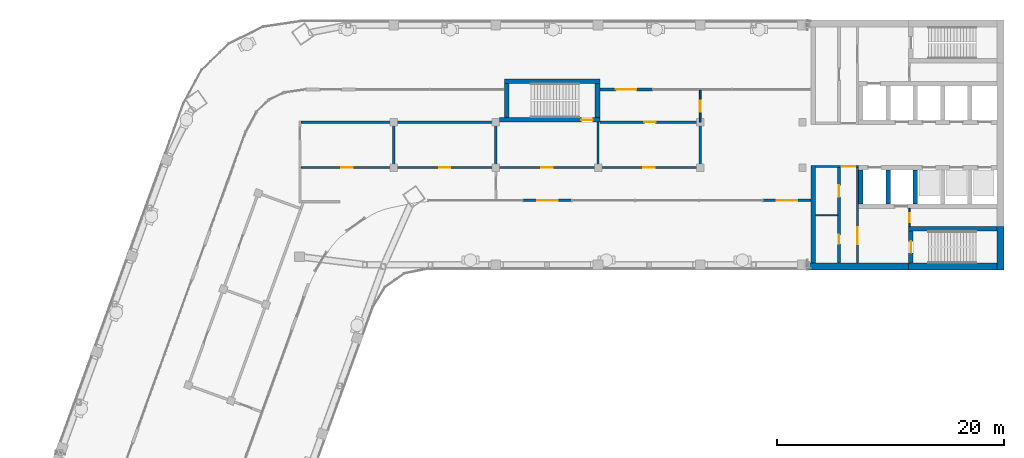
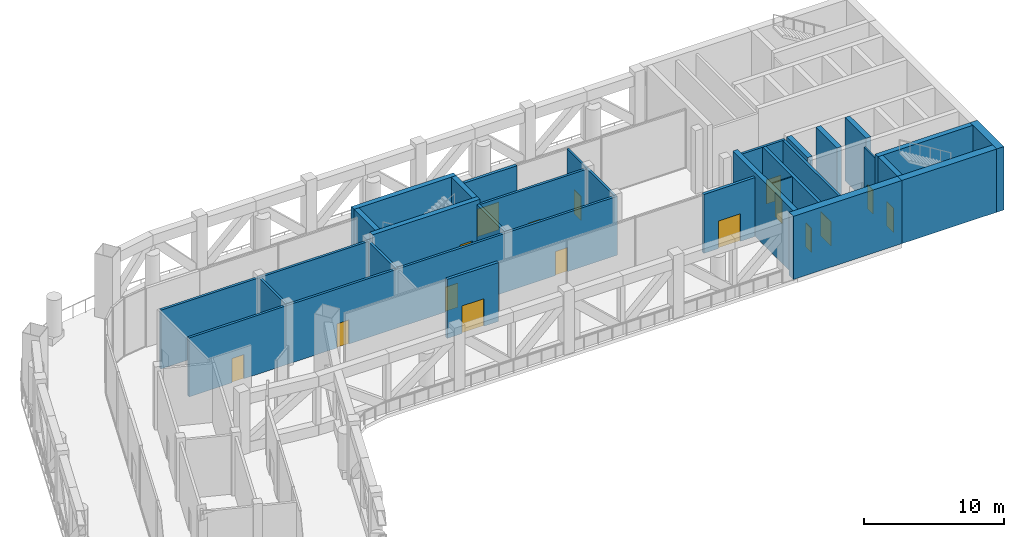
# One storey, part 13 of 19: 29 walls, 16 doors, 16 openings.
"""IFC4 building model written with IfcOpenShell, lengths in metres."""

from ifc_helpers import new_model, si_unit, direction, frame, frame_2d, origin, place, context, subcontext, project, spatial, rectangle, extrude, material, layer, layer_set, type_object, element, fill, save


model = new_model("IFC4")

# Units and contexts
model_context = context("Model", 3, precision=1e-05, world=origin(), true_north=direction((0.0, 1.0)))
body_context = subcontext(model_context, "Body", "Model", "MODEL_VIEW")
ifc_project = project(units=[si_unit("LENGTHUNIT", "METRE"), si_unit("AREAUNIT", "SQUARE_METRE"), si_unit("VOLUMEUNIT", "CUBIC_METRE"), si_unit("PLANEANGLEUNIT", "RADIAN"), si_unit("MASSUNIT", "GRAM", prefix="KILO")], contexts=[model_context])

# Site, building, storey
site_placement = place(None, origin())
site = spatial("IfcSite", under=ifc_project, at=site_placement, CompositionType="ELEMENT")
building_placement = place(site_placement, origin())
building = spatial("IfcBuilding", under=site, at=building_placement, Name="Skarvind Civic Tower", CompositionType="ELEMENT")
storey_placement = place(building_placement, frame((0.0, 0.0, 129.0)))
storey = spatial("IfcBuildingStorey", under=building, at=storey_placement, Name="L30", CompositionType="ELEMENT", Elevation=129.0)

# Wall, opening, door
ifc_material_1 = material(Name="Fire-rated masonry partition", Category="masonry")
ifc_layer_1 = layer(ifc_material_1, 0.199951171875)
ifc_layer_set_1 = layer_set([ifc_layer_1], Name="Core enclosure wall 200")
wall_type_1 = type_object("IfcWallType", Name="Core enclosure wall 200", PredefinedType="PARTITIONING", material=ifc_layer_set_1)
wall_1_placement = place(storey_placement, frame((95.199951171875, 126.10009765625, 0.0), z_axis=(0.0, 0.0, 1.0), x_axis=(-1.0, 0.0, 0.0)))
wall_1 = element("IfcWall", 1, at=wall_1_placement, inside=storey, type_object=wall_type_1, Name="Core wall C1", PredefinedType="PARTITIONING", context=body_context, shape_type="SweptSolid", body=[
    extrude(rectangle(XDim=3.800048828125, YDim=0.199951171875, at=frame_2d((1.89990234375, 0.0))), origin(), (0.0, 0.0, 1.0), 5.125),
])
opening_1_placement = place(wall_1_placement, frame((0.300048828125, 0.0, 0.0)))
opening_1 = element("IfcOpeningElement", 2, at=opening_1_placement, cuts=wall_1, Name="Opening D-L30-C1-09", PredefinedType="OPENING", context=body_context, shape_type="SweptSolid", body=[
    extrude(rectangle(XDim=1.199951171875, YDim=2.10009765625, at=frame_2d((0.60009765625, 1.050048828125))), frame((0.0, 0.10986328125, 0.0), z_axis=(0.0, -1.0, 0.0), x_axis=(1.0, 0.0, 0.0)), (0.0, 0.0, 1.0), 0.219970703125),
])
ifc_material_2 = material(Name="Fire-rated steel door", Category="steel")
door_type_1 = type_object("IfcDoorType", Name="Core lobby door 1200", OperationType="NOTDEFINED", PredefinedType="DOOR", material=ifc_material_2)
door_1_placement = place(opening_1_placement, origin())
door_1 = element("IfcDoor", 3, at=door_1_placement, inside=storey, type_object=door_type_1, Name="Fire door", OperationType="DOUBLE_DOOR_SINGLE_SWING", OverallHeight=2.10009765625, OverallWidth=1.199951171875, PredefinedType="DOOR", context=body_context, shape_type="SweptSolid", body=[
    extrude(rectangle(XDim=1.199951171875, YDim=2.10009765625, at=frame_2d((0.60009765625, 1.050048828125))), frame((0.0, 0.02490234375, 0.0), z_axis=(0.0, -1.0, 0.0), x_axis=(1.0, 0.0, 0.0)), (0.0, 0.0, 1.0), 0.050048828125),
])
fill(opening_1, door_1)

wall_2_placement = place(storey_placement, frame((95.10009765625, 117.60009765625, 0.0), z_axis=(0.0, 0.0, 1.0), x_axis=(0.0, 1.0, 0.0)))
wall_2 = element("IfcWall", 4, at=wall_2_placement, inside=storey, type_object=wall_type_1, Name="Core wall C1", PredefinedType="PARTITIONING", context=body_context, shape_type="SweptSolid", body=[
    extrude(rectangle(XDim=8.39990234375, YDim=0.199951171875, at=frame_2d((4.199951171875, 0.0))), origin(), (0.0, 0.0, 1.0), 5.125),
])
opening_2_placement = place(wall_2_placement, frame((1.64990234375, 0.0, 0.0)))
opening_2 = element("IfcOpeningElement", 5, at=opening_2_placement, cuts=wall_2, Name="Opening D-L30-C1-10", PredefinedType="OPENING", context=body_context, shape_type="SweptSolid", body=[
    extrude(rectangle(XDim=1.5, YDim=2.10009765625, at=frame_2d((0.75, 1.050048828125))), frame((0.0, 0.10986328125, 0.0), z_axis=(0.0, -1.0, 0.0), x_axis=(1.0, 0.0, 0.0)), (0.0, 0.0, 1.0), 0.219970703125),
])
door_type_2 = type_object("IfcDoorType", Name="Fire door 1500", OperationType="NOTDEFINED", PredefinedType="DOOR", material=ifc_material_2)
door_2_placement = place(opening_2_placement, origin())
door_2 = element("IfcDoor", 6, at=door_2_placement, inside=storey, type_object=door_type_2, Name="Fire door", OperationType="DOUBLE_DOOR_SINGLE_SWING", OverallHeight=2.10009765625, OverallWidth=1.5, PredefinedType="DOOR", context=body_context, shape_type="SweptSolid", body=[
    extrude(rectangle(XDim=1.5, YDim=2.10009765625, at=frame_2d((0.75, 1.050048828125))), frame((0.0, 0.02490234375, 0.0), z_axis=(0.0, -1.0, 0.0), x_axis=(1.0, 0.0, 0.0)), (0.0, 0.0, 1.0), 0.050048828125),
])
fill(opening_2, door_2)

# Walls
ifc_material_3 = material(Name="Fire-rated plasterboard partition")
ifc_layer_2 = layer(ifc_material_3, 0.10009765625)
ifc_layer_set_2 = layer_set([ifc_layer_2], Name="Core partition wall 100")
wall_type_2 = type_object("IfcWallType", Name="Core partition wall 100", PredefinedType="PARTITIONING", material=ifc_layer_set_2)
wall_3_placement = place(storey_placement, frame((93.35009765625, 121.800048828125, 0.0), z_axis=(0.0, 0.0, 1.0), x_axis=(-1.0, 0.0, 0.0)))
element("IfcWall", 7, at=wall_3_placement, inside=storey, type_object=wall_type_2, Name="Core wall C1", PredefinedType="PARTITIONING", context=body_context, shape_type="SweptSolid", body=[
    extrude(rectangle(XDim=1.9501953125, YDim=0.10009765625, at=frame_2d((0.97509765625, 0.0))), origin(), (0.0, 0.0, 1.0), 5.125),
])
ifc_material_4 = material(Name="Concrete C80", Category="concrete")
ifc_layer_3 = layer(ifc_material_4, 0.39990234375)
ifc_layer_set_3 = layer_set([ifc_layer_3], Name="Core wall 400 C80")
wall_type_3 = type_object("IfcWallType", Name="Core wall 400 C80", PredefinedType="SHEAR", material=ifc_layer_set_3)
wall_4_placement = place(storey_placement, frame((107.39990234375, 120.60009765625, 0.0), z_axis=(0.0, 0.0, 1.0), x_axis=(-1.0, 0.0, 0.0)))
element("IfcWall", 8, at=wall_4_placement, inside=storey, type_object=wall_type_3, Name="Core wall C1 north stair inner L30", PredefinedType="SHEAR", context=body_context, shape_type="SweptSolid", body=[
    extrude(rectangle(XDim=7.7998046875, YDim=0.39990234375, at=frame_2d((3.89990234375, 0.0))), origin(), (0.0, 0.0, 1.0), 5.5),
])

# Wall, opening, door
wall_5_placement = place(storey_placement, frame((99.800048828125, 120.39990234375, 0.0), z_axis=(0.0, 0.0, 1.0), x_axis=(0.0, -1.0, 0.0)))
wall_5 = element("IfcWall", 9, at=wall_5_placement, inside=storey, type_object=wall_type_3, Name="Core wall C1 north stair end L30", PredefinedType="SHEAR", context=body_context, shape_type="SweptSolid", body=[
    extrude(rectangle(XDim=2.7998046875, YDim=0.39990234375, at=frame_2d((1.39990234375, 0.0))), origin(), (0.0, 0.0, 1.0), 5.5),
])
opening_3_placement = place(wall_5_placement, frame((0.89990234375, 0.0, 0.0)))
opening_3 = element("IfcOpeningElement", 10, at=opening_3_placement, cuts=wall_5, Name="Opening D-L30-C1-11", PredefinedType="OPENING", context=body_context, shape_type="SweptSolid", body=[
    extrude(rectangle(XDim=1.0, YDim=2.10009765625, at=frame_2d((0.5, 1.050048828125))), frame((0.0, 0.2099609375, 0.0), z_axis=(0.0, -1.0, 0.0), x_axis=(1.0, 0.0, 0.0)), (0.0, 0.0, 1.0), 0.419921875),
])
door_type_3 = type_object("IfcDoorType", Name="Fire door 1000", OperationType="NOTDEFINED", PredefinedType="DOOR", material=ifc_material_2)
door_3_placement = place(opening_3_placement, origin())
door_3 = element("IfcDoor", 11, at=door_3_placement, inside=storey, type_object=door_type_3, Name="Fire door", OperationType="SINGLE_SWING_LEFT", OverallHeight=2.10009765625, OverallWidth=1.0, PredefinedType="DOOR", context=body_context, shape_type="SweptSolid", body=[
    extrude(rectangle(XDim=1.0, YDim=2.10009765625, at=frame_2d((0.5, 1.050048828125))), frame((0.0, 0.02490234375, 0.0), z_axis=(0.0, -1.0, 0.0), x_axis=(1.0, 0.0, 0.0)), (0.0, 0.0, 1.0), 0.050048828125),
])
fill(opening_3, door_3)

# Walls
for number, where, z_axis, x_axis, name in (
    (12, (100.199951171875, 125.800048828125, 0.0), (0.0, 0.0, 1.0), (0.0, -1.0, 0.0), "Core wall C1 north lift row division 3 L30"),
    (13, (97.800048828125, 125.800048828125, 0.0), (0.0, 0.0, 1.0), (0.0, -1.0, 0.0), "Core wall C1 north lift row division 4 L30"),
    (14, (95.39990234375, 125.800048828125, 0.0), (0.0, 0.0, 1.0), (0.0, -1.0, 0.0), "Core wall C1 north lift row division 5 L30"),
):
    element("IfcWall", number, at=place(storey_placement, frame(where, z_axis=z_axis, x_axis=x_axis)), inside=storey, type_object=wall_type_3, Name=name, PredefinedType="SHEAR", context=body_context, shape_type="SweptSolid", body=[
        extrude(rectangle(XDim=3.0, YDim=0.39990234375, at=frame_2d((1.5, 0.0))), origin(), (0.0, 0.0, 1.0), 5.5),
    ])
wall_6_placement = place(storey_placement, frame((91.199951171875, 126.199951171875, 0.0), z_axis=(0.0, 0.0, 1.0), x_axis=(0.0, -1.0, 0.0)))
element("IfcWall", 15, at=wall_6_placement, inside=storey, type_object=wall_type_3, Name="Core wall C1 north inner face L30", PredefinedType="SHEAR", context=body_context, shape_type="SweptSolid", body=[
    extrude(rectangle(XDim=8.599853515625, YDim=0.39990234375, at=frame_2d((4.2998046875, 0.0))), origin(), (0.0, 0.0, 1.0), 5.5),
])

# Wall, opening, door
wall_7_placement = place(storey_placement, frame((63.574951171875, 130.199951171875, 0.0), z_axis=(0.0, 0.0, 1.0), x_axis=(1.0, 0.0, 0.0)))
wall_7 = element("IfcWall", 16, at=wall_7_placement, inside=storey, type_object=wall_type_3, Name="Core wall CM inner L30", PredefinedType="SHEAR", context=body_context, shape_type="SweptSolid", body=[
    extrude(rectangle(XDim=8.824951171875, YDim=0.39990234375, at=frame_2d((4.41259765625, 0.0))), origin(), (0.0, 0.0, 1.0), 5.5),
])
opening_4_placement = place(wall_7_placement, frame((7.199951171875, 0.0, 0.0)))
opening_4 = element("IfcOpeningElement", 17, at=opening_4_placement, cuts=wall_7, Name="Opening D-L30-CM-01", PredefinedType="OPENING", context=body_context, shape_type="SweptSolid", body=[
    extrude(rectangle(XDim=1.0, YDim=2.10009765625, at=frame_2d((0.5, 1.050048828125))), frame((0.0, 0.2099609375, 0.0), z_axis=(0.0, -1.0, 0.0), x_axis=(1.0, 0.0, 0.0)), (0.0, 0.0, 1.0), 0.419921875),
])
door_4_placement = place(opening_4_placement, origin())
door_4 = element("IfcDoor", 18, at=door_4_placement, inside=storey, type_object=door_type_3, Name="Fire door", OperationType="SINGLE_SWING_LEFT", OverallHeight=2.10009765625, OverallWidth=1.0, PredefinedType="DOOR", context=body_context, shape_type="SweptSolid", body=[
    extrude(rectangle(XDim=1.0, YDim=2.10009765625, at=frame_2d((0.5, 1.050048828125))), frame((0.0, 0.02490234375, 0.0), z_axis=(0.0, -1.0, 0.0), x_axis=(1.0, 0.0, 0.0)), (0.0, 0.0, 1.0), 0.050048828125),
])
fill(opening_4, door_4)

# Walls
wall_8_placement = place(storey_placement, frame((64.0, 133.60009765625, 0.0), z_axis=(0.0, 0.0, 1.0), x_axis=(1.0, 0.0, 0.0)))
element("IfcWall", 19, at=wall_8_placement, inside=storey, type_object=wall_type_3, Name="Core wall CM outer L30", PredefinedType="SHEAR", context=body_context, shape_type="SweptSolid", body=[
    extrude(rectangle(XDim=8.39990234375, YDim=0.39990234375, at=frame_2d((4.199951171875, 0.0))), origin(), (0.0, 0.0, 1.0), 5.5),
])
for number, where, z_axis, x_axis, name in (
    (20, (64.199951171875, 130.39990234375, 0.0), (0.0, 0.0, 1.0), (0.0, 1.0, 0.0), "Core wall CM west L30"),
    (21, (72.199951171875, 130.39990234375, 0.0), (0.0, 0.0, 1.0), (0.0, 1.0, 0.0), "Core wall CM end L30"),
):
    element("IfcWall", number, at=place(storey_placement, frame(where, z_axis=z_axis, x_axis=x_axis)), inside=storey, type_object=wall_type_3, Name=name, PredefinedType="SHEAR", context=body_context, shape_type="SweptSolid", body=[
        extrude(rectangle(XDim=3.0, YDim=0.39990234375, at=frame_2d((1.5, 0.0))), origin(), (0.0, 0.0, 1.0), 5.5),
    ])
ifc_layer_4 = layer(ifc_material_4, 0.60009765625)
ifc_layer_set_4 = layer_set([ifc_layer_4], Name="Core wall 600 C80")
wall_type_4 = type_object("IfcWallType", Name="Core wall 600 C80", PredefinedType="SHEAR", material=ifc_layer_set_4)
wall_9_placement = place(storey_placement, frame((107.699951171875, 120.800048828125, 0.0), z_axis=(0.0, 0.0, 1.0), x_axis=(0.0, -1.0, 0.0)))
element("IfcWall", 22, at=wall_9_placement, inside=storey, type_object=wall_type_4, Name="Core wall C1 tip at the north stair L30", PredefinedType="SHEAR", context=body_context, shape_type="SweptSolid", body=[
    extrude(rectangle(XDim=3.800048828125, YDim=0.60009765625, at=frame_2d((1.89990234375, 0.0))), origin(), (0.0, 0.0, 1.0), 5.5),
])
wall_10_placement = place(storey_placement, frame((107.39990234375, 117.300048828125, 0.0), z_axis=(0.0, 0.0, 1.0), x_axis=(-1.0, 0.0, 0.0)))
element("IfcWall", 23, at=wall_10_placement, inside=storey, type_object=wall_type_4, Name="Core wall C1 north side at the stair L30", PredefinedType="SHEAR", context=body_context, shape_type="SweptSolid", body=[
    extrude(rectangle(XDim=7.7998046875, YDim=0.60009765625, at=frame_2d((3.89990234375, 0.0))), origin(), (0.0, 0.0, 1.0), 5.5),
])
wall_11_placement = place(storey_placement, frame((99.60009765625, 117.300048828125, 0.0), z_axis=(0.0, 0.0, 1.0), x_axis=(-1.0, 0.0, 0.0)))
element("IfcWall", 24, at=wall_11_placement, inside=storey, type_object=wall_type_4, Name="Core wall C1 north side L30", PredefinedType="SHEAR", context=body_context, shape_type="SweptSolid", body=[
    extrude(rectangle(XDim=8.925048828125, YDim=0.60009765625, at=frame_2d((4.46240234375, 0.0))), origin(), (0.0, 0.0, 1.0), 5.5),
])

# Wall, openings, doors
ifc_material_5 = material(Name="Fire-rated blockwork wall, plastered", Category="masonry")
ifc_layer_5 = layer(ifc_material_5, 0.199951171875)
ifc_layer_set_5 = layer_set([ifc_layer_5], Name="FIRE WALL 200 EI 60")
wall_type_5 = type_object("IfcWallType", Name="FIRE WALL 200 EI 60", PredefinedType="PARTITIONING", material=ifc_layer_set_5)
wall_12_placement = place(storey_placement, frame((46.10009765625, 126.0, 0.0), z_axis=(0.0, 0.0, 1.0), x_axis=(1.0, 0.0, 0.0)))
wall_12 = element("IfcWall", 25, at=wall_12_placement, inside=storey, type_object=wall_type_5, Name="Separator partition L30 012", PredefinedType="PARTITIONING", context=body_context, shape_type="SweptSolid", body=[
    extrude(rectangle(XDim=35.25, YDim=0.199951171875, at=frame_2d((17.625, 0.0))), origin(), (0.0, 0.0, 1.0), 5.125),
])
opening_5_placement = place(wall_12_placement, frame((3.52490234375, 0.0, 0.0)))
opening_5 = element("IfcOpeningElement", 26, at=opening_5_placement, cuts=wall_12, Name="Opening L30-D205", PredefinedType="OPENING", context=body_context, shape_type="SweptSolid", body=[
    extrude(rectangle(XDim=1.0, YDim=2.10009765625, at=frame_2d((0.5, 1.050048828125))), frame((0.0, 0.10986328125, 0.0), z_axis=(0.0, -1.0, 0.0), x_axis=(1.0, 0.0, 0.0)), (0.0, 0.0, 1.0), 0.219970703125),
])
opening_6_placement = place(wall_12_placement, frame((12.14990234375, 0.0, 0.0)))
opening_6 = element("IfcOpeningElement", 27, at=opening_6_placement, cuts=wall_12, Name="Opening L30-D206", PredefinedType="OPENING", context=body_context, shape_type="SweptSolid", body=[
    extrude(rectangle(XDim=1.0, YDim=2.10009765625, at=frame_2d((0.5, 1.050048828125))), frame((0.0, 0.10986328125, 0.0), z_axis=(0.0, -1.0, 0.0), x_axis=(1.0, 0.0, 0.0)), (0.0, 0.0, 1.0), 0.219970703125),
])
opening_7_placement = place(wall_12_placement, frame((21.14990234375, 0.0, 0.0)))
opening_7 = element("IfcOpeningElement", 28, at=opening_7_placement, cuts=wall_12, Name="Opening L30-D208", PredefinedType="OPENING", context=body_context, shape_type="SweptSolid", body=[
    extrude(rectangle(XDim=1.0, YDim=2.10009765625, at=frame_2d((0.5, 1.050048828125))), frame((0.0, 0.10986328125, 0.0), z_axis=(0.0, -1.0, 0.0), x_axis=(1.0, 0.0, 0.0)), (0.0, 0.0, 1.0), 0.219970703125),
])
opening_8_placement = place(wall_12_placement, frame((30.14990234375, 0.0, 0.0)))
opening_8 = element("IfcOpeningElement", 29, at=opening_8_placement, cuts=wall_12, Name="Opening L30-D209", PredefinedType="OPENING", context=body_context, shape_type="SweptSolid", body=[
    extrude(rectangle(XDim=1.0, YDim=2.10009765625, at=frame_2d((0.5, 1.050048828125))), frame((0.0, 0.10986328125, 0.0), z_axis=(0.0, -1.0, 0.0), x_axis=(1.0, 0.0, 0.0)), (0.0, 0.0, 1.0), 0.219970703125),
])
ifc_material_6 = material(Name="Painted steel fire door leaf", Category="steel")
door_type_4 = type_object("IfcDoorType", Name="FIRE DOOR 1000X2100 STEEL", OperationType="NOTDEFINED", PredefinedType="DOOR", material=ifc_material_6)
door_5_placement = place(opening_5_placement, origin())
door_5 = element("IfcDoor", 30, at=door_5_placement, inside=storey, type_object=door_type_4, Name="FIRE DOOR", OperationType="SINGLE_SWING_RIGHT", OverallHeight=2.10009765625, OverallWidth=1.0, PredefinedType="DOOR", context=body_context, shape_type="SweptSolid", body=[
    extrude(rectangle(XDim=1.0, YDim=2.10009765625, at=frame_2d((0.5, 1.050048828125))), frame((0.0, 0.02490234375, 0.0), z_axis=(0.0, -1.0, 0.0), x_axis=(1.0, 0.0, 0.0)), (0.0, 0.0, 1.0), 0.050048828125),
])
fill(opening_5, door_5)
door_6_placement = place(opening_6_placement, origin())
door_6 = element("IfcDoor", 31, at=door_6_placement, inside=storey, type_object=door_type_4, Name="FIRE DOOR", OperationType="SINGLE_SWING_LEFT", OverallHeight=2.10009765625, OverallWidth=1.0, PredefinedType="DOOR", context=body_context, shape_type="SweptSolid", body=[
    extrude(rectangle(XDim=1.0, YDim=2.10009765625, at=frame_2d((0.5, 1.050048828125))), frame((0.0, 0.02490234375, 0.0), z_axis=(0.0, -1.0, 0.0), x_axis=(1.0, 0.0, 0.0)), (0.0, 0.0, 1.0), 0.050048828125),
])
fill(opening_6, door_6)
door_7_placement = place(opening_7_placement, origin())
door_7 = element("IfcDoor", 32, at=door_7_placement, inside=storey, type_object=door_type_4, Name="FIRE DOOR", OperationType="SINGLE_SWING_RIGHT", OverallHeight=2.10009765625, OverallWidth=1.0, PredefinedType="DOOR", context=body_context, shape_type="SweptSolid", body=[
    extrude(rectangle(XDim=1.0, YDim=2.10009765625, at=frame_2d((0.5, 1.050048828125))), frame((0.0, 0.02490234375, 0.0), z_axis=(0.0, -1.0, 0.0), x_axis=(1.0, 0.0, 0.0)), (0.0, 0.0, 1.0), 0.050048828125),
])
fill(opening_7, door_7)
door_8_placement = place(opening_8_placement, origin())
door_8 = element("IfcDoor", 33, at=door_8_placement, inside=storey, type_object=door_type_4, Name="FIRE DOOR", OperationType="SINGLE_SWING_LEFT", OverallHeight=2.10009765625, OverallWidth=1.0, PredefinedType="DOOR", context=body_context, shape_type="SweptSolid", body=[
    extrude(rectangle(XDim=1.0, YDim=2.10009765625, at=frame_2d((0.5, 1.050048828125))), frame((0.0, 0.02490234375, 0.0), z_axis=(0.0, -1.0, 0.0), x_axis=(1.0, 0.0, 0.0)), (0.0, 0.0, 1.0), 0.050048828125),
])
fill(opening_8, door_8)

# Walls
wall_13_placement = place(storey_placement, frame((46.10009765625, 130.0, 0.0), z_axis=(0.0, 0.0, 1.0), x_axis=(1.0, 0.0, 0.0)))
element("IfcWall", 34, at=wall_13_placement, inside=storey, type_object=wall_type_5, Name="Separator partition L30 013", PredefinedType="PARTITIONING", context=body_context, shape_type="SweptSolid", body=[
    extrude(rectangle(XDim=17.25, YDim=0.199951171875, at=frame_2d((8.625, 0.0))), origin(), (0.0, 0.0, 1.0), 5.125),
])
wall_14_placement = place(storey_placement, frame((54.25, 126.10009765625, 0.0), z_axis=(0.0, 0.0, 1.0), x_axis=(0.0, 1.0, 0.0)))
element("IfcWall", 35, at=wall_14_placement, inside=storey, type_object=wall_type_5, Name="Separator partition L30 015", PredefinedType="PARTITIONING", context=body_context, shape_type="SweptSolid", body=[
    extrude(rectangle(XDim=3.7998046875, YDim=0.199951171875, at=frame_2d((1.89990234375, 0.0))), origin(), (0.0, 0.0, 1.0), 5.125),
])
wall_15_placement = place(storey_placement, frame((63.25, 126.02001953125, 0.0), z_axis=(0.0, 0.0, 1.0), x_axis=(0.0, 1.0, 0.0)))
element("IfcWall", 36, at=wall_15_placement, inside=storey, type_object=wall_type_5, Name="Separator partition L30 017", PredefinedType="PARTITIONING", context=body_context, shape_type="SweptSolid", body=[
    extrude(rectangle(XDim=3.8798828125, YDim=0.199951171875, at=frame_2d((1.93994140625, 0.0))), origin(), (0.0, 0.0, 1.0), 5.125),
])
wall_16_placement = place(storey_placement, frame((72.25, 126.10009765625, 0.0), z_axis=(0.0, 0.0, 1.0), x_axis=(0.0, 1.0, 0.0)))
element("IfcWall", 37, at=wall_16_placement, inside=storey, type_object=wall_type_5, Name="Separator partition L30 018", PredefinedType="PARTITIONING", context=body_context, shape_type="SweptSolid", body=[
    extrude(rectangle(XDim=3.89990234375, YDim=0.199951171875, at=frame_2d((1.949951171875, 0.0))), origin(), (0.0, 0.0, 1.0), 5.125),
])

# Wall, opening, door
wall_17_placement = place(storey_placement, frame((81.14990234375, 130.0, 0.0), z_axis=(0.0, 0.0, 1.0), x_axis=(-1.0, 0.0, 0.0)))
wall_17 = element("IfcWall", 38, at=wall_17_placement, inside=storey, type_object=wall_type_5, Name="Separator partition L30 019", PredefinedType="PARTITIONING", context=body_context, shape_type="SweptSolid", body=[
    extrude(rectangle(XDim=8.75, YDim=0.199951171875, at=frame_2d((4.375, 0.0))), origin(), (0.0, 0.0, 1.0), 5.125),
])
opening_9_placement = place(wall_17_placement, frame((3.824951171875, 0.0, 0.0)))
opening_9 = element("IfcOpeningElement", 39, at=opening_9_placement, cuts=wall_17, Name="Opening L30-D210", PredefinedType="OPENING", context=body_context, shape_type="SweptSolid", body=[
    extrude(rectangle(XDim=1.0, YDim=2.10009765625, at=frame_2d((0.5, 1.050048828125))), frame((0.0, 0.10986328125, 0.0), z_axis=(0.0, -1.0, 0.0), x_axis=(1.0, 0.0, 0.0)), (0.0, 0.0, 1.0), 0.219970703125),
])
door_9_placement = place(opening_9_placement, origin())
door_9 = element("IfcDoor", 40, at=door_9_placement, inside=storey, type_object=door_type_4, Name="FIRE DOOR", OperationType="SINGLE_SWING_LEFT", OverallHeight=2.10009765625, OverallWidth=1.0, PredefinedType="DOOR", context=body_context, shape_type="SweptSolid", body=[
    extrude(rectangle(XDim=1.0, YDim=2.10009765625, at=frame_2d((0.5, 1.050048828125))), frame((0.0, 0.02490234375, 0.0), z_axis=(0.0, -1.0, 0.0), x_axis=(1.0, 0.0, 0.0)), (0.0, 0.0, 1.0), 0.050048828125),
])
fill(opening_9, door_9)

# Wall
wall_18_placement = place(storey_placement, frame((81.25, 126.10009765625, 0.0), z_axis=(0.0, 0.0, 1.0), x_axis=(0.0, 1.0, 0.0)))
element("IfcWall", 41, at=wall_18_placement, inside=storey, type_object=wall_type_5, Name="Separator partition L30 020", PredefinedType="PARTITIONING", context=body_context, shape_type="SweptSolid", body=[
    extrude(rectangle(XDim=3.89990234375, YDim=0.199951171875, at=frame_2d((1.949951171875, 0.0))), origin(), (0.0, 0.0, 1.0), 5.125),
])

# Wall, opening, door
ifc_material_7 = material(Name="Plasterboard partition on steel studs", Category="steel")
ifc_layer_6 = layer(ifc_material_7, 0.14990234375)
ifc_layer_set_6 = layer_set([ifc_layer_6], Name="PARTITION 150")
wall_type_6 = type_object("IfcWallType", Name="PARTITION 150", PredefinedType="PARTITIONING", material=ifc_layer_set_6)
wall_19_placement = place(storey_placement, frame((81.25, 130.0, 0.0), z_axis=(0.0, 0.0, 1.0), x_axis=(0.0, 1.0, 0.0)))
wall_19 = element("IfcWall", 42, at=wall_19_placement, inside=storey, type_object=wall_type_6, Name="Separator partition L30 021", PredefinedType="PARTITIONING", context=body_context, shape_type="SweptSolid", body=[
    extrude(rectangle(XDim=2.820068359375, YDim=0.14990234375, at=frame_2d((1.41015625, 0.0))), origin(), (0.0, 0.0, 1.0), 5.125),
])
opening_10_placement = place(wall_19_placement, frame((0.89990234375, 0.0, 0.0)))
opening_10 = element("IfcOpeningElement", 43, at=opening_10_placement, cuts=wall_19, Name="Opening L30-D211", PredefinedType="OPENING", context=body_context, shape_type="SweptSolid", body=[
    extrude(rectangle(XDim=1.0, YDim=2.10009765625, at=frame_2d((0.5, 1.050048828125))), frame((0.0, 0.0849609375, 0.0), z_axis=(0.0, -1.0, 0.0), x_axis=(1.0, 0.0, 0.0)), (0.0, 0.0, 1.0), 0.169921875),
])
ifc_material_8 = material(Name="Timber veneer door leaf", Category="wood")
door_type_5 = type_object("IfcDoorType", Name="DOOR 1000X2100 TIMBER", OperationType="NOTDEFINED", PredefinedType="DOOR", material=ifc_material_8)
door_10_placement = place(opening_10_placement, origin())
door_10 = element("IfcDoor", 44, at=door_10_placement, inside=storey, type_object=door_type_5, Name="DOOR DOOR", OperationType="SINGLE_SWING_LEFT", OverallHeight=2.10009765625, OverallWidth=1.0, PredefinedType="DOOR", context=body_context, shape_type="SweptSolid", body=[
    extrude(rectangle(XDim=1.0, YDim=2.10009765625, at=frame_2d((0.5, 1.050048828125))), frame((0.0, 0.02490234375, 0.0), z_axis=(0.0, -1.0, 0.0), x_axis=(1.0, 0.0, 0.0)), (0.0, 0.0, 1.0), 0.050048828125),
])
fill(opening_10, door_10)

ifc_layer_7 = layer(ifc_material_1, 0.125)
ifc_layer_set_7 = layer_set([ifc_layer_7], Name="Riser wall 125")
wall_type_7 = type_object("IfcWallType", Name="Riser wall 125", PredefinedType="PARTITIONING", material=ifc_layer_set_7)
wall_20_placement = place(storey_placement, frame((99.66259765625, 120.800048828125, 0.0), z_axis=(0.0, 0.0, 1.0), x_axis=(0.0, 1.0, 0.0)))
wall_20 = element("IfcWall", 45, at=wall_20_placement, inside=storey, type_object=wall_type_7, Name="Core wall C1", PredefinedType="PARTITIONING", context=body_context, shape_type="SweptSolid", body=[
    extrude(rectangle(XDim=1.599853515625, YDim=0.125, at=frame_2d((0.7998046875, 0.0))), origin(), (0.0, 0.0, 1.0), 5.125),
])
opening_11_placement = place(wall_20_placement, frame((0.39990234375, 0.0, 0.0)))
opening_11 = element("IfcOpeningElement", 46, at=opening_11_placement, cuts=wall_20, Name="Opening D-L30-C1-12", PredefinedType="OPENING", context=body_context, shape_type="SweptSolid", body=[
    extrude(rectangle(XDim=0.800048828125, YDim=2.10009765625, at=frame_2d((0.39990234375, 1.050048828125))), frame((0.0, 0.072509765625, 0.0), z_axis=(0.0, -1.0, 0.0), x_axis=(1.0, 0.0, 0.0)), (0.0, 0.0, 1.0), 0.14501953125),
])
door_type_6 = type_object("IfcDoorType", Name="Core riser door 800", OperationType="NOTDEFINED", PredefinedType="DOOR", material=ifc_material_2)
door_11_placement = place(opening_11_placement, origin())
door_11 = element("IfcDoor", 47, at=door_11_placement, inside=storey, type_object=door_type_6, Name="Riser door", OperationType="SINGLE_SWING_RIGHT", OverallHeight=2.10009765625, OverallWidth=0.800048828125, PredefinedType="DOOR", context=body_context, shape_type="SweptSolid", body=[
    extrude(rectangle(XDim=0.800048828125, YDim=2.10009765625, at=frame_2d((0.39990234375, 1.050048828125))), frame((0.0, 0.02490234375, 0.0), z_axis=(0.0, -1.0, 0.0), x_axis=(1.0, 0.0, 0.0)), (0.0, 0.0, 1.0), 0.050048828125),
])
fill(opening_11, door_11)

# Wall, openings, doors
ifc_layer_8 = layer(ifc_material_1, 0.25)
ifc_layer_set_8 = layer_set([ifc_layer_8], Name="Service block wall 250")
wall_type_8 = type_object("IfcWallType", Name="Service block wall 250", PredefinedType="PARTITIONING", material=ifc_layer_set_8)
wall_21_placement = place(storey_placement, frame((93.47509765625, 117.60009765625, 0.0), z_axis=(0.0, 0.0, 1.0), x_axis=(0.0, 1.0, 0.0)))
wall_21 = element("IfcWall", 48, at=wall_21_placement, inside=storey, type_object=wall_type_8, Name="Core wall C1", PredefinedType="PARTITIONING", context=body_context, shape_type="SweptSolid", body=[
    extrude(rectangle(XDim=8.39990234375, YDim=0.25, at=frame_2d((4.199951171875, 0.0))), origin(), (0.0, 0.0, 1.0), 5.125),
])
opening_12_placement = place(wall_21_placement, frame((5.824951171875, 0.0, 0.0)))
opening_12 = element("IfcOpeningElement", 49, at=opening_12_placement, cuts=wall_21, Name="Opening D-L30-C1-13", PredefinedType="OPENING", context=body_context, shape_type="SweptSolid", body=[
    extrude(rectangle(XDim=1.0, YDim=2.10009765625, at=frame_2d((0.5, 1.050048828125))), frame((0.0, 0.135009765625, 0.0), z_axis=(0.0, -1.0, 0.0), x_axis=(1.0, 0.0, 0.0)), (0.0, 0.0, 1.0), 0.27001953125),
])
opening_13_placement = place(wall_21_placement, frame((1.675048828125, 0.0, 0.0)))
opening_13 = element("IfcOpeningElement", 50, at=opening_13_placement, cuts=wall_21, Name="Opening D-L30-C1-14", PredefinedType="OPENING", context=body_context, shape_type="SweptSolid", body=[
    extrude(rectangle(XDim=0.800048828125, YDim=2.10009765625, at=frame_2d((0.39990234375, 1.050048828125))), frame((0.0, 0.135009765625, 0.0), z_axis=(0.0, -1.0, 0.0), x_axis=(1.0, 0.0, 0.0)), (0.0, 0.0, 1.0), 0.27001953125),
])
door_12_placement = place(opening_13_placement, origin())
door_12 = element("IfcDoor", 51, at=door_12_placement, inside=storey, type_object=door_type_6, Name="Riser door", OperationType="SINGLE_SWING_RIGHT", OverallHeight=2.10009765625, OverallWidth=0.800048828125, PredefinedType="DOOR", context=body_context, shape_type="SweptSolid", body=[
    extrude(rectangle(XDim=0.800048828125, YDim=2.10009765625, at=frame_2d((0.39990234375, 1.050048828125))), frame((0.0, 0.02490234375, 0.0), z_axis=(0.0, -1.0, 0.0), x_axis=(1.0, 0.0, 0.0)), (0.0, 0.0, 1.0), 0.050048828125),
])
fill(opening_13, door_12)
door_13_placement = place(opening_12_placement, origin())
door_13 = element("IfcDoor", 52, at=door_13_placement, inside=storey, type_object=door_type_3, Name="Fire door", OperationType="SINGLE_SWING_LEFT", OverallHeight=2.10009765625, OverallWidth=1.0, PredefinedType="DOOR", context=body_context, shape_type="SweptSolid", body=[
    extrude(rectangle(XDim=1.0, YDim=2.10009765625, at=frame_2d((0.5, 1.050048828125))), frame((0.0, 0.02490234375, 0.0), z_axis=(0.0, -1.0, 0.0), x_axis=(1.0, 0.0, 0.0)), (0.0, 0.0, 1.0), 0.050048828125),
])
fill(opening_12, door_13)

# Wall, opening, door
ifc_material_9 = material(Name="Limestone masonry cladding on insulated backing", Category="masonry")
ifc_layer_9 = layer(ifc_material_9, 0.239990234375)
ifc_layer_set_9 = layer_set([ifc_layer_9], Name="WX4 STONE DOOR PIER WALL 240")
wall_type_9 = type_object("IfcWallType", Name="WX4 STONE DOOR PIER WALL 240", PredefinedType="SOLIDWALL", material=ifc_layer_set_9)
wall_22_placement = place(storey_placement, frame((91.0, 123.1201171875, 0.0), z_axis=(0.0, 0.0, 1.0), x_axis=(-1.0, 0.0, 0.0)))
wall_22 = element("IfcWall", 53, at=wall_22_placement, inside=storey, type_object=wall_type_9, Name="STONE DOOR PIER WALL", PredefinedType="SOLIDWALL", context=body_context, shape_type="SweptSolid", body=[
    extrude(rectangle(XDim=4.220703125, YDim=0.239990234375, at=frame_2d((2.1103515625, 0.0))), origin(), (0.0, 0.0, 1.0), 5.125),
])
opening_14_placement = place(wall_22_placement, frame((1.210205078125, 0.0, 0.0)))
opening_14 = element("IfcOpeningElement", 54, at=opening_14_placement, cuts=wall_22, Name="Opening DX3", PredefinedType="OPENING", context=body_context, shape_type="SweptSolid", body=[
    extrude(rectangle(XDim=1.800048828125, YDim=2.39990234375, at=frame_2d((0.89990234375, 1.199951171875))), frame((0.0, 0.1298828125, 0.0), z_axis=(0.0, -1.0, 0.0), x_axis=(1.0, 0.0, 0.0)), (0.0, 0.0, 1.0), 0.260009765625),
])
ifc_material_10 = material(Name="Timber and glass doorset", Category="wood")
door_type_7 = type_object("IfcDoorType", Name="DX3 TERRACE DOORS 1800 x 2400", OperationType="NOTDEFINED", PredefinedType="DOOR", material=ifc_material_10)
door_14_placement = place(opening_14_placement, origin())
door_14 = element("IfcDoor", 55, at=door_14_placement, inside=storey, type_object=door_type_7, Name="TERRACE DOORS", OperationType="DOUBLE_DOOR_SINGLE_SWING", OverallHeight=2.39990234375, OverallWidth=1.800048828125, PredefinedType="DOOR", context=body_context, shape_type="SweptSolid", body=[
    extrude(rectangle(XDim=1.800048828125, YDim=2.39990234375, at=frame_2d((0.89990234375, 1.199951171875))), frame((0.0, 0.02490234375, 0.0), z_axis=(0.0, -1.0, 0.0), x_axis=(1.0, 0.0, 0.0)), (0.0, 0.0, 1.0), 0.050048828125),
])
fill(opening_14, door_14)

wall_23_placement = place(storey_placement, frame((69.89697265625, 123.1201171875, 0.0), z_axis=(0.0, 0.0, 1.0), x_axis=(-1.0, 0.0, 0.0)))
wall_23 = element("IfcWall", 56, at=wall_23_placement, inside=storey, type_object=wall_type_9, Name="STONE DOOR PIER WALL", PredefinedType="SOLIDWALL", context=body_context, shape_type="SweptSolid", body=[
    extrude(rectangle(XDim=4.220703125, YDim=0.239990234375, at=frame_2d((2.1103515625, 0.0))), origin(), (0.0, 0.0, 1.0), 5.125),
])
opening_15_placement = place(wall_23_placement, frame((1.210205078125, 0.0, 0.0)))
opening_15 = element("IfcOpeningElement", 57, at=opening_15_placement, cuts=wall_23, Name="Opening DX3", PredefinedType="OPENING", context=body_context, shape_type="SweptSolid", body=[
    extrude(rectangle(XDim=1.800048828125, YDim=2.39990234375, at=frame_2d((0.89990234375, 1.199951171875))), frame((0.0, 0.1298828125, 0.0), z_axis=(0.0, -1.0, 0.0), x_axis=(1.0, 0.0, 0.0)), (0.0, 0.0, 1.0), 0.260009765625),
])
door_15_placement = place(opening_15_placement, origin())
door_15 = element("IfcDoor", 58, at=door_15_placement, inside=storey, type_object=door_type_7, Name="TERRACE DOORS", OperationType="DOUBLE_DOOR_SINGLE_SWING", OverallHeight=2.39990234375, OverallWidth=1.800048828125, PredefinedType="DOOR", context=body_context, shape_type="SweptSolid", body=[
    extrude(rectangle(XDim=1.800048828125, YDim=2.39990234375, at=frame_2d((0.89990234375, 1.199951171875))), frame((0.0, 0.02490234375, 0.0), z_axis=(0.0, -1.0, 0.0), x_axis=(1.0, 0.0, 0.0)), (0.0, 0.0, 1.0), 0.050048828125),
])
fill(opening_15, door_15)

wall_24_placement = place(storey_placement, frame((72.39990234375, 132.8798828125, 0.0), z_axis=(0.0, 0.0, 1.0), x_axis=(1.0, 0.0, 0.0)))
wall_24 = element("IfcWall", 59, at=wall_24_placement, inside=storey, type_object=wall_type_9, Name="STONE DOOR PIER WALL", PredefinedType="SOLIDWALL", context=body_context, shape_type="SweptSolid", body=[
    extrude(rectangle(XDim=4.650146484375, YDim=0.239990234375, at=frame_2d((2.3251953125, 0.0))), origin(), (0.0, 0.0, 1.0), 5.125),
])
opening_16_placement = place(wall_24_placement, frame((1.425048828125, 0.0, 0.0)))
opening_16 = element("IfcOpeningElement", 60, at=opening_16_placement, cuts=wall_24, Name="Opening DX3", PredefinedType="OPENING", context=body_context, shape_type="SweptSolid", body=[
    extrude(rectangle(XDim=1.800048828125, YDim=2.39990234375, at=frame_2d((0.89990234375, 1.199951171875))), frame((0.0, 0.1298828125, 0.0), z_axis=(0.0, -1.0, 0.0), x_axis=(1.0, 0.0, 0.0)), (0.0, 0.0, 1.0), 0.260009765625),
])
door_16_placement = place(opening_16_placement, origin())
door_16 = element("IfcDoor", 61, at=door_16_placement, inside=storey, type_object=door_type_7, Name="TERRACE DOORS", OperationType="DOUBLE_DOOR_SINGLE_SWING", OverallHeight=2.39990234375, OverallWidth=1.800048828125, PredefinedType="DOOR", context=body_context, shape_type="SweptSolid", body=[
    extrude(rectangle(XDim=1.800048828125, YDim=2.39990234375, at=frame_2d((0.89990234375, 1.199951171875))), frame((0.0, 0.02490234375, 0.0), z_axis=(0.0, -1.0, 0.0), x_axis=(1.0, 0.0, 0.0)), (0.0, 0.0, 1.0), 0.050048828125),
])
fill(opening_16, door_16)

save(model, "model.ifc")
